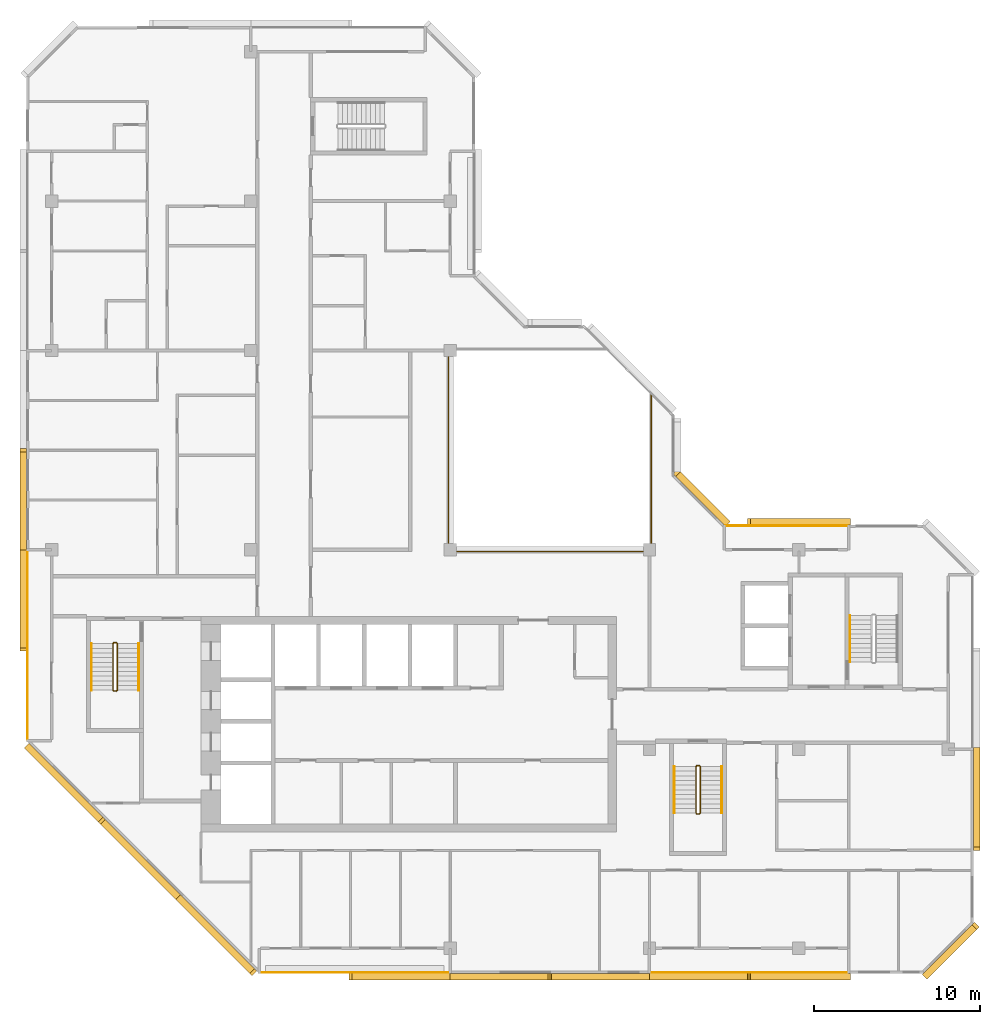
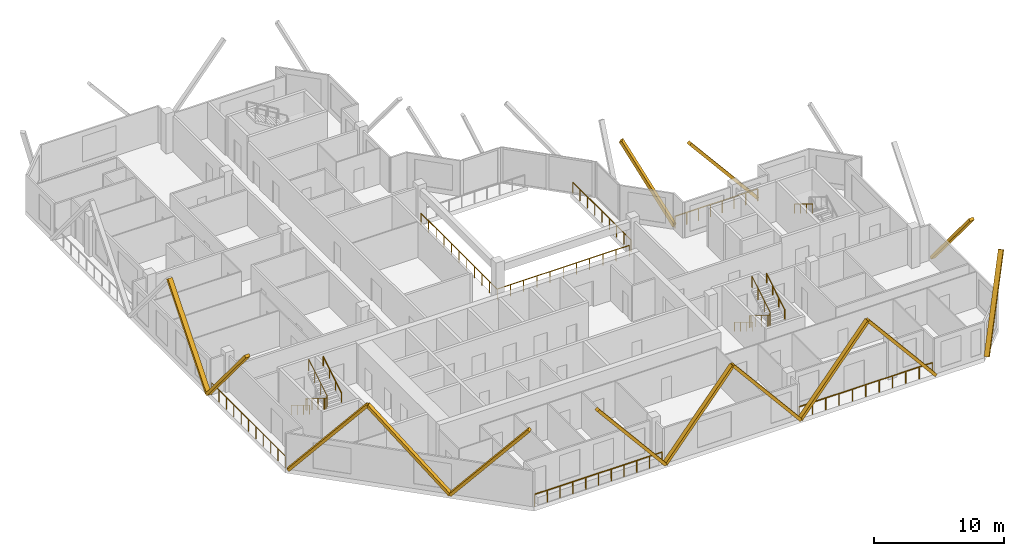
# One storey, part 10 of 11: 14 coverings, 13 railings.
"""IFC4 building model written with IfcOpenShell, lengths in metres."""

from ifc_helpers import new_model, si_unit, direction, frame, origin, origin_2d, place, context, subcontext, project, spatial, rectangle, extrude, material, material_profile, profile_set, type_object, element, save


model = new_model("IFC4")

# Units and contexts
model_context = context("Model", 3, precision=1e-05, world=origin(), true_north=direction((0.0, 1.0)))
body_context = subcontext(model_context, "Body", "Model", "MODEL_VIEW")
ifc_project = project(units=[si_unit("LENGTHUNIT", "METRE"), si_unit("AREAUNIT", "SQUARE_METRE"), si_unit("VOLUMEUNIT", "CUBIC_METRE"), si_unit("PLANEANGLEUNIT", "RADIAN"), si_unit("MASSUNIT", "GRAM", prefix="KILO")], contexts=[model_context])

# Site, building, storey
site_placement = place(None, origin())
site = spatial("IfcSite", under=ifc_project, at=site_placement, CompositionType="ELEMENT")
building_placement = place(site_placement, origin())
building = spatial("IfcBuilding", under=site, at=building_placement, Name="Chenar Terraces", CompositionType="ELEMENT")
storey_placement = place(building_placement, frame((0.0, 0.0, 376.39990234375)))
storey = spatial("IfcBuildingStorey", under=building, at=storey_placement, Name="L88", CompositionType="ELEMENT", Elevation=376.39990234375)

# Railings
ifc_material_1 = material(Name="Powder-coated steel", Category="steel")
railing_type_1 = type_object("IfcRailingType", Name="Guard 1100 steel rail with glass infill", PredefinedType="GUARDRAIL", material=ifc_material_1)
railing_1_placement = place(storey_placement, frame((23.89990234375, 35.625, 0.0)))
element("IfcRailing", 1, at=railing_1_placement, inside=storey, type_object=railing_type_1, Name="Guard L88-1", PredefinedType="GUARDRAIL", context=body_context, shape_type="SweptSolid", body=[
    extrude(rectangle(XDim=0.06005859375, YDim=0.06005859375, at=origin_2d()), frame((0.0, 0.0, 1.070068359375), z_axis=(0.0, -1.0, 0.0), x_axis=(1.0, 0.0, 0.0)), (0.0, 0.0, 1.0), 11.72509765625),
    extrude(rectangle(XDim=0.06005859375, YDim=0.06005859375, at=origin_2d()), frame((0.0, -11.72509765625, 1.070068359375), z_axis=(1.0, 0.0, 0.0), x_axis=(0.0, 1.0, 0.0)), (0.0, 0.0, 1.0), 11.72509765625),
    extrude(rectangle(XDim=0.050048828125, YDim=0.050048828125, at=origin_2d()), origin(), (0.0, 0.0, 1.0), 1.0400390625),
    extrude(rectangle(XDim=0.050048828125, YDim=0.050048828125, at=origin_2d()), frame((0.0, -1.172607421875, 0.0)), (0.0, 0.0, 1.0), 1.0400390625),
    extrude(rectangle(XDim=0.050048828125, YDim=0.050048828125, at=origin_2d()), frame((0.0, -2.344970703125, 0.0)), (0.0, 0.0, 1.0), 1.0400390625),
    extrude(rectangle(XDim=0.050048828125, YDim=0.050048828125, at=origin_2d()), frame((0.0, -3.517578125, 0.0)), (0.0, 0.0, 1.0), 1.0400390625),
    extrude(rectangle(XDim=0.050048828125, YDim=0.050048828125, at=origin_2d()), frame((0.0, -4.68994140625, 0.0)), (0.0, 0.0, 1.0), 1.0400390625),
    extrude(rectangle(XDim=0.050048828125, YDim=0.050048828125, at=origin_2d()), frame((0.0, -5.862548828125, 0.0)), (0.0, 0.0, 1.0), 1.0400390625),
    extrude(rectangle(XDim=0.050048828125, YDim=0.050048828125, at=origin_2d()), frame((0.0, -7.03515625, 0.0)), (0.0, 0.0, 1.0), 1.0400390625),
    extrude(rectangle(XDim=0.050048828125, YDim=0.050048828125, at=origin_2d()), frame((0.0, -8.20751953125, 0.0)), (0.0, 0.0, 1.0), 1.0400390625),
    extrude(rectangle(XDim=0.050048828125, YDim=0.050048828125, at=origin_2d()), frame((0.0, -9.380126953125, 0.0)), (0.0, 0.0, 1.0), 1.0400390625),
    extrude(rectangle(XDim=0.050048828125, YDim=0.050048828125, at=origin_2d()), frame((0.0, -10.552490234375, 0.0)), (0.0, 0.0, 1.0), 1.0400390625),
    extrude(rectangle(XDim=0.050048828125, YDim=0.050048828125, at=origin_2d()), frame((0.0, -11.72509765625, 0.0)), (0.0, 0.0, 1.0), 1.0400390625),
    extrude(rectangle(XDim=0.050048828125, YDim=0.050048828125, at=origin_2d()), frame((1.172607421875, -11.72509765625, 0.0)), (0.0, 0.0, 1.0), 1.0400390625),
    extrude(rectangle(XDim=0.050048828125, YDim=0.050048828125, at=origin_2d()), frame((2.344970703125, -11.72509765625, 0.0)), (0.0, 0.0, 1.0), 1.0400390625),
    extrude(rectangle(XDim=0.050048828125, YDim=0.050048828125, at=origin_2d()), frame((3.517578125, -11.72509765625, 0.0)), (0.0, 0.0, 1.0), 1.0400390625),
    extrude(rectangle(XDim=0.050048828125, YDim=0.050048828125, at=origin_2d()), frame((4.68994140625, -11.72509765625, 0.0)), (0.0, 0.0, 1.0), 1.0400390625),
    extrude(rectangle(XDim=0.050048828125, YDim=0.050048828125, at=origin_2d()), frame((5.862548828125, -11.72509765625, 0.0)), (0.0, 0.0, 1.0), 1.0400390625),
    extrude(rectangle(XDim=0.050048828125, YDim=0.050048828125, at=origin_2d()), frame((7.03515625, -11.72509765625, 0.0)), (0.0, 0.0, 1.0), 1.0400390625),
    extrude(rectangle(XDim=0.050048828125, YDim=0.050048828125, at=origin_2d()), frame((8.20751953125, -11.72509765625, 0.0)), (0.0, 0.0, 1.0), 1.0400390625),
    extrude(rectangle(XDim=0.050048828125, YDim=0.050048828125, at=origin_2d()), frame((9.380126953125, -11.72509765625, 0.0)), (0.0, 0.0, 1.0), 1.0400390625),
    extrude(rectangle(XDim=0.050048828125, YDim=0.050048828125, at=origin_2d()), frame((10.552490234375, -11.72509765625, 0.0)), (0.0, 0.0, 1.0), 1.0400390625),
    extrude(rectangle(XDim=0.050048828125, YDim=0.050048828125, at=origin_2d()), frame((11.72509765625, -11.72509765625, 0.0)), (0.0, 0.0, 1.0), 1.0400390625),
])
railing_2_placement = place(storey_placement, frame((36.10009765625, 24.425048828125, 0.0)))
element("IfcRailing", 2, at=railing_2_placement, inside=storey, type_object=railing_type_1, Name="Guard L88-3", PredefinedType="GUARDRAIL", context=body_context, shape_type="SweptSolid", body=[
    extrude(rectangle(XDim=0.06005859375, YDim=0.06005859375, at=origin_2d()), frame((0.0, 0.0, 1.070068359375), z_axis=(0.0, 1.0, 0.0), x_axis=(-1.0, 0.0, 0.0)), (0.0, 0.0, 1.0), 8.974853515625),
    extrude(rectangle(XDim=0.050048828125, YDim=0.050048828125, at=origin_2d()), origin(), (0.0, 0.0, 1.0), 1.0400390625),
    extrude(rectangle(XDim=0.050048828125, YDim=0.050048828125, at=origin_2d()), frame((0.0, 1.121826171875, 0.0)), (0.0, 0.0, 1.0), 1.0400390625),
    extrude(rectangle(XDim=0.050048828125, YDim=0.050048828125, at=origin_2d()), frame((0.0, 2.24365234375, 0.0)), (0.0, 0.0, 1.0), 1.0400390625),
    extrude(rectangle(XDim=0.050048828125, YDim=0.050048828125, at=origin_2d()), frame((0.0, 3.365478515625, 0.0)), (0.0, 0.0, 1.0), 1.0400390625),
    extrude(rectangle(XDim=0.050048828125, YDim=0.050048828125, at=origin_2d()), frame((0.0, 4.4873046875, 0.0)), (0.0, 0.0, 1.0), 1.0400390625),
    extrude(rectangle(XDim=0.050048828125, YDim=0.050048828125, at=origin_2d()), frame((0.0, 5.609375, 0.0)), (0.0, 0.0, 1.0), 1.0400390625),
    extrude(rectangle(XDim=0.050048828125, YDim=0.050048828125, at=origin_2d()), frame((0.0, 6.731201171875, 0.0)), (0.0, 0.0, 1.0), 1.0400390625),
    extrude(rectangle(XDim=0.050048828125, YDim=0.050048828125, at=origin_2d()), frame((0.0, 7.85302734375, 0.0)), (0.0, 0.0, 1.0), 1.0400390625),
    extrude(rectangle(XDim=0.050048828125, YDim=0.050048828125, at=origin_2d()), frame((0.0, 8.974853515625, 0.0)), (0.0, 0.0, 1.0), 1.0400390625),
])
ifc_material_2 = material(Name="Stainless steel and glass", Category="steel")
railing_type_2 = type_object("IfcRailingType", Name="Loggia guard 1150", PredefinedType="GUARDRAIL", material=ifc_material_2)
railing_3_placement = place(storey_placement, frame((47.925048828125, 25.449951171875, 0.0)))
element("IfcRailing", 3, at=railing_3_placement, inside=storey, type_object=railing_type_2, Name="Loggia guard", PredefinedType="GUARDRAIL", context=body_context, shape_type="SweptSolid", body=[
    extrude(rectangle(XDim=0.048095703125, YDim=0.048095703125, at=origin_2d()), frame((0.0, 0.0, 1.1259765625), z_axis=(-1.0, 0.0, 0.0), x_axis=(0.0, -1.0, 0.0)), (0.0, 0.0, 1.0), 7.35009765625),
    extrude(rectangle(XDim=0.0419921875, YDim=0.0419921875, at=origin_2d()), origin(), (0.0, 0.0, 1.0), 1.101806640625),
    extrude(rectangle(XDim=0.0419921875, YDim=0.0419921875, at=origin_2d()), frame((-1.050048828125, 0.0, 0.0)), (0.0, 0.0, 1.0), 1.101806640625),
    extrude(rectangle(XDim=0.0419921875, YDim=0.0419921875, at=origin_2d()), frame((-2.10009765625, 0.0, 0.0)), (0.0, 0.0, 1.0), 1.101806640625),
    extrude(rectangle(XDim=0.0419921875, YDim=0.0419921875, at=origin_2d()), frame((-3.150146484375, 0.0, 0.0)), (0.0, 0.0, 1.0), 1.101806640625),
    extrude(rectangle(XDim=0.0419921875, YDim=0.0419921875, at=origin_2d()), frame((-4.199951171875, 0.0, 0.0)), (0.0, 0.0, 1.0), 1.101806640625),
    extrude(rectangle(XDim=0.0419921875, YDim=0.0419921875, at=origin_2d()), frame((-5.25, 0.0, 0.0)), (0.0, 0.0, 1.0), 1.101806640625),
    extrude(rectangle(XDim=0.0419921875, YDim=0.0419921875, at=origin_2d()), frame((-6.300048828125, 0.0, 0.0)), (0.0, 0.0, 1.0), 1.101806640625),
    extrude(rectangle(XDim=0.0419921875, YDim=0.0419921875, at=origin_2d()), frame((-7.35009765625, 0.0, 0.0)), (0.0, 0.0, 1.0), 1.101806640625),
])
railing_4_placement = place(storey_placement, frame((12.574951171875, -1.449951171875, 0.0)))
element("IfcRailing", 4, at=railing_4_placement, inside=storey, type_object=railing_type_2, Name="Loggia guard", PredefinedType="GUARDRAIL", context=body_context, shape_type="SweptSolid", body=[
    extrude(rectangle(XDim=0.048095703125, YDim=0.048095703125, at=origin_2d()), frame((0.0, 0.0, 1.1259765625), z_axis=(1.0, 0.0, 0.0), x_axis=(0.0, 1.0, 0.0)), (0.0, 0.0, 1.0), 11.35009765625),
    extrude(rectangle(XDim=0.0419921875, YDim=0.0419921875, at=origin_2d()), origin(), (0.0, 0.0, 1.0), 1.101806640625),
    extrude(rectangle(XDim=0.0419921875, YDim=0.0419921875, at=origin_2d()), frame((1.135009765625, 0.0, 0.0)), (0.0, 0.0, 1.0), 1.101806640625),
    extrude(rectangle(XDim=0.0419921875, YDim=0.0419921875, at=origin_2d()), frame((2.27001953125, 0.0, 0.0)), (0.0, 0.0, 1.0), 1.101806640625),
    extrude(rectangle(XDim=0.0419921875, YDim=0.0419921875, at=origin_2d()), frame((3.405029296875, 0.0, 0.0)), (0.0, 0.0, 1.0), 1.101806640625),
    extrude(rectangle(XDim=0.0419921875, YDim=0.0419921875, at=origin_2d()), frame((4.5400390625, 0.0, 0.0)), (0.0, 0.0, 1.0), 1.101806640625),
    extrude(rectangle(XDim=0.0419921875, YDim=0.0419921875, at=origin_2d()), frame((5.675048828125, 0.0, 0.0)), (0.0, 0.0, 1.0), 1.101806640625),
    extrude(rectangle(XDim=0.0419921875, YDim=0.0419921875, at=origin_2d()), frame((6.81005859375, 0.0, 0.0)), (0.0, 0.0, 1.0), 1.101806640625),
    extrude(rectangle(XDim=0.0419921875, YDim=0.0419921875, at=origin_2d()), frame((7.945068359375, 0.0, 0.0)), (0.0, 0.0, 1.0), 1.101806640625),
    extrude(rectangle(XDim=0.0419921875, YDim=0.0419921875, at=origin_2d()), frame((9.080078125, 0.0, 0.0)), (0.0, 0.0, 1.0), 1.101806640625),
    extrude(rectangle(XDim=0.0419921875, YDim=0.0419921875, at=origin_2d()), frame((10.215087890625, 0.0, 0.0)), (0.0, 0.0, 1.0), 1.101806640625),
    extrude(rectangle(XDim=0.0419921875, YDim=0.0419921875, at=origin_2d()), frame((11.35009765625, 0.0, 0.0)), (0.0, 0.0, 1.0), 1.101806640625),
])
railing_5_placement = place(storey_placement, frame((36.074951171875, -1.449951171875, 0.0)))
element("IfcRailing", 5, at=railing_5_placement, inside=storey, type_object=railing_type_2, Name="Loggia guard", PredefinedType="GUARDRAIL", context=body_context, shape_type="SweptSolid", body=[
    extrude(rectangle(XDim=0.048095703125, YDim=0.048095703125, at=origin_2d()), frame((0.0, 0.0, 1.1259765625), z_axis=(1.0, 0.0, 0.0), x_axis=(0.0, 1.0, 0.0)), (0.0, 0.0, 1.0), 11.85009765625),
    extrude(rectangle(XDim=0.0419921875, YDim=0.0419921875, at=origin_2d()), origin(), (0.0, 0.0, 1.0), 1.101806640625),
    extrude(rectangle(XDim=0.0419921875, YDim=0.0419921875, at=origin_2d()), frame((1.18505859375, 0.0, 0.0)), (0.0, 0.0, 1.0), 1.101806640625),
    extrude(rectangle(XDim=0.0419921875, YDim=0.0419921875, at=origin_2d()), frame((2.3701171875, 0.0, 0.0)), (0.0, 0.0, 1.0), 1.101806640625),
    extrude(rectangle(XDim=0.0419921875, YDim=0.0419921875, at=origin_2d()), frame((3.554931640625, 0.0, 0.0)), (0.0, 0.0, 1.0), 1.101806640625),
    extrude(rectangle(XDim=0.0419921875, YDim=0.0419921875, at=origin_2d()), frame((4.739990234375, 0.0, 0.0)), (0.0, 0.0, 1.0), 1.101806640625),
    extrude(rectangle(XDim=0.0419921875, YDim=0.0419921875, at=origin_2d()), frame((5.925048828125, 0.0, 0.0)), (0.0, 0.0, 1.0), 1.101806640625),
    extrude(rectangle(XDim=0.0419921875, YDim=0.0419921875, at=origin_2d()), frame((7.110107421875, 0.0, 0.0)), (0.0, 0.0, 1.0), 1.101806640625),
    extrude(rectangle(XDim=0.0419921875, YDim=0.0419921875, at=origin_2d()), frame((8.295166015625, 0.0, 0.0)), (0.0, 0.0, 1.0), 1.101806640625),
    extrude(rectangle(XDim=0.0419921875, YDim=0.0419921875, at=origin_2d()), frame((9.47998046875, 0.0, 0.0)), (0.0, 0.0, 1.0), 1.101806640625),
    extrude(rectangle(XDim=0.0419921875, YDim=0.0419921875, at=origin_2d()), frame((10.6650390625, 0.0, 0.0)), (0.0, 0.0, 1.0), 1.101806640625),
    extrude(rectangle(XDim=0.0419921875, YDim=0.0419921875, at=origin_2d()), frame((11.85009765625, 0.0, 0.0)), (0.0, 0.0, 1.0), 1.101806640625),
])
railing_6_placement = place(storey_placement, frame((-1.449951171875, 23.925048828125, 0.0)))
element("IfcRailing", 6, at=railing_6_placement, inside=storey, type_object=railing_type_2, Name="Loggia guard", PredefinedType="GUARDRAIL", context=body_context, shape_type="SweptSolid", body=[
    extrude(rectangle(XDim=0.048095703125, YDim=0.048095703125, at=origin_2d()), frame((0.0, 0.0, 1.1259765625), z_axis=(0.0, -1.0, 0.0), x_axis=(1.0, 0.0, 0.0)), (0.0, 0.0, 1.0), 11.35009765625),
    extrude(rectangle(XDim=0.0419921875, YDim=0.0419921875, at=origin_2d()), origin(), (0.0, 0.0, 1.0), 1.101806640625),
    extrude(rectangle(XDim=0.0419921875, YDim=0.0419921875, at=origin_2d()), frame((0.0, -1.135009765625, 0.0)), (0.0, 0.0, 1.0), 1.101806640625),
    extrude(rectangle(XDim=0.0419921875, YDim=0.0419921875, at=origin_2d()), frame((0.0, -2.27001953125, 0.0)), (0.0, 0.0, 1.0), 1.101806640625),
    extrude(rectangle(XDim=0.0419921875, YDim=0.0419921875, at=origin_2d()), frame((0.0, -3.405029296875, 0.0)), (0.0, 0.0, 1.0), 1.101806640625),
    extrude(rectangle(XDim=0.0419921875, YDim=0.0419921875, at=origin_2d()), frame((0.0, -4.5400390625, 0.0)), (0.0, 0.0, 1.0), 1.101806640625),
    extrude(rectangle(XDim=0.0419921875, YDim=0.0419921875, at=origin_2d()), frame((0.0, -5.675048828125, 0.0)), (0.0, 0.0, 1.0), 1.101806640625),
    extrude(rectangle(XDim=0.0419921875, YDim=0.0419921875, at=origin_2d()), frame((0.0, -6.81005859375, 0.0)), (0.0, 0.0, 1.0), 1.101806640625),
    extrude(rectangle(XDim=0.0419921875, YDim=0.0419921875, at=origin_2d()), frame((0.0, -7.945068359375, 0.0)), (0.0, 0.0, 1.0), 1.101806640625),
    extrude(rectangle(XDim=0.0419921875, YDim=0.0419921875, at=origin_2d()), frame((0.0, -9.080078125, 0.0)), (0.0, 0.0, 1.0), 1.101806640625),
    extrude(rectangle(XDim=0.0419921875, YDim=0.0419921875, at=origin_2d()), frame((0.0, -10.215087890625, 0.0)), (0.0, 0.0, 1.0), 1.101806640625),
    extrude(rectangle(XDim=0.0419921875, YDim=0.0419921875, at=origin_2d()), frame((0.0, -11.35009765625, 0.0)), (0.0, 0.0, 1.0), 1.101806640625),
])
ifc_material_3 = material(Name="Powder-coated steel", Category="steel")
railing_type_3 = type_object("IfcRailingType", Name="Stair guard 1100", PredefinedType="GUARDRAIL", material=ifc_material_3)
railing_7_placement = place(storey_placement, frame((3.949951171875, 18.35009765625, 3.75)))
element("IfcRailing", 7, at=railing_7_placement, inside=storey, type_object=railing_type_3, Name="L88 ST1 stair guard 1", PredefinedType="GUARDRAIL", context=body_context, shape_type="SweptSolid", body=[
    extrude(rectangle(XDim=0.048095703125, YDim=0.048095703125, at=origin_2d()), frame((0.0, 0.0, 1.076171875), z_axis=(0.0, -0.854202870247, -0.519939858505), x_axis=(1.0, 0.0, 0.0)), (0.0, 0.0, 1.0), 3.278076171875),
    extrude(rectangle(XDim=0.048095703125, YDim=0.048095703125, at=origin_2d()), frame((0.0, -2.800048828125, -0.62841796875), z_axis=(-0.270899902878, -0.270899902878, -0.923702595667), x_axis=(0.707106781187, -0.707106781187, 0.0)), (0.0, 0.0, 1.0), 0.184814453125),
    extrude(rectangle(XDim=0.048095703125, YDim=0.048095703125, at=origin_2d()), frame((-0.050048828125, -2.85009765625, -0.798828125), z_axis=(-1.0, 0.0, 0.0), x_axis=(0.0, -1.0, 0.0)), (0.0, 0.0, 1.0), 0.14990234375),
    extrude(rectangle(XDim=0.048095703125, YDim=0.048095703125, at=origin_2d()), frame((-0.199951171875, -2.85009765625, -0.798828125), z_axis=(-0.707106781187, 0.707106781187, 0.0), x_axis=(-0.707106781187, -0.707106781187, 0.0)), (0.0, 0.0, 1.0), 0.07080078125),
    extrude(rectangle(XDim=0.048095703125, YDim=0.048095703125, at=origin_2d()), frame((-0.25, -2.800048828125, -0.798828125), z_axis=(0.0, 0.854202870247, -0.519939858505), x_axis=(-1.0, 0.0, 0.0)), (0.0, 0.0, 1.0), 3.278076171875),
    extrude(rectangle(XDim=0.048095703125, YDim=0.048095703125, at=origin_2d()), frame((-0.25, 0.0, -2.50341796875), z_axis=(0.270996696079, 0.269674760976, -0.924032636873), x_axis=(-0.705375805398, 0.708833529934, 0.0)), (0.0, 0.0, 1.0), 0.1845703125),
    extrude(rectangle(XDim=0.048095703125, YDim=0.048095703125, at=origin_2d()), frame((-0.199951171875, 0.0498046875, -2.673828125), z_axis=(1.0, 0.0, 0.0), x_axis=(0.0, 1.0, 0.0)), (0.0, 0.0, 1.0), 0.14990234375),
    extrude(rectangle(XDim=0.0419921875, YDim=0.0419921875, at=origin_2d()), origin(), (0.0, 0.0, 1.0), 1.052001953125),
    extrude(rectangle(XDim=0.0419921875, YDim=0.0419921875, at=origin_2d()), frame((0.0, -0.933349609375, -0.568115234375)), (0.0, 0.0, 1.0), 1.052001953125),
    extrude(rectangle(XDim=0.0419921875, YDim=0.0419921875, at=origin_2d()), frame((0.0, -1.86669921875, -1.13623046875)), (0.0, 0.0, 1.0), 1.052001953125),
    extrude(rectangle(XDim=0.0419921875, YDim=0.0419921875, at=origin_2d()), frame((0.0, -2.800048828125, -1.704345703125)), (0.0, 0.0, 1.0), 1.052001953125),
    extrude(rectangle(XDim=0.0419921875, YDim=0.0419921875, at=origin_2d()), frame((-0.050048828125, -2.85009765625, -1.875)), (0.0, 0.0, 1.0), 1.052001953125),
    extrude(rectangle(XDim=0.0419921875, YDim=0.0419921875, at=origin_2d()), frame((-0.199951171875, -2.85009765625, -1.875)), (0.0, 0.0, 1.0), 1.052001953125),
    extrude(rectangle(XDim=0.0419921875, YDim=0.0419921875, at=origin_2d()), frame((-0.25, -2.800048828125, -1.875)), (0.0, 0.0, 1.0), 1.052001953125),
    extrude(rectangle(XDim=0.0419921875, YDim=0.0419921875, at=origin_2d()), frame((-0.25, -1.86669921875, -2.443115234375)), (0.0, 0.0, 1.0), 1.052001953125),
    extrude(rectangle(XDim=0.0419921875, YDim=0.0419921875, at=origin_2d()), frame((-0.25, -0.933349609375, -3.01123046875)), (0.0, 0.0, 1.0), 1.052001953125),
    extrude(rectangle(XDim=0.0419921875, YDim=0.0419921875, at=origin_2d()), frame((-0.25, 0.0, -3.579345703125)), (0.0, 0.0, 1.0), 1.052001953125),
    extrude(rectangle(XDim=0.0419921875, YDim=0.0419921875, at=origin_2d()), frame((-0.199951171875, 0.0498046875, -3.75)), (0.0, 0.0, 1.0), 1.052001953125),
    extrude(rectangle(XDim=0.0419921875, YDim=0.0419921875, at=origin_2d()), frame((-0.050048828125, 0.0498046875, -3.75)), (0.0, 0.0, 1.0), 1.052001953125),
])
railing_8_placement = place(storey_placement, frame((39.050048828125, 10.949951171875, 3.75)))
element("IfcRailing", 8, at=railing_8_placement, inside=storey, type_object=railing_type_3, Name="L88 ST2 stair guard 1", PredefinedType="GUARDRAIL", context=body_context, shape_type="SweptSolid", body=[
    extrude(rectangle(XDim=0.048095703125, YDim=0.048095703125, at=origin_2d()), frame((0.0, 0.0, 1.076171875), z_axis=(0.0, -0.854202870247, -0.519939858505), x_axis=(1.0, 0.0, 0.0)), (0.0, 0.0, 1.0), 3.278076171875),
    extrude(rectangle(XDim=0.048095703125, YDim=0.048095703125, at=origin_2d()), frame((0.0, -2.800048828125, -0.62841796875), z_axis=(-0.270996696079, -0.269674760976, -0.924032636873), x_axis=(0.705375805398, -0.708833529934, 0.0)), (0.0, 0.0, 1.0), 0.1845703125),
    extrude(rectangle(XDim=0.048095703125, YDim=0.048095703125, at=origin_2d()), frame((-0.050048828125, -2.849853515625, -0.798828125), z_axis=(-1.0, 0.0, 0.0), x_axis=(0.0, -1.0, 0.0)), (0.0, 0.0, 1.0), 0.14990234375),
    extrude(rectangle(XDim=0.048095703125, YDim=0.048095703125, at=origin_2d()), frame((-0.199951171875, -2.849853515625, -0.798828125), z_axis=(-0.708833529934, 0.705375805398, 0.0), x_axis=(-0.705375805398, -0.708833529934, 0.0)), (0.0, 0.0, 1.0), 0.070556640625),
    extrude(rectangle(XDim=0.048095703125, YDim=0.048095703125, at=origin_2d()), frame((-0.25, -2.800048828125, -0.798828125), z_axis=(0.0, 0.854202870247, -0.519939858505), x_axis=(-1.0, 0.0, 0.0)), (0.0, 0.0, 1.0), 3.278076171875),
    extrude(rectangle(XDim=0.048095703125, YDim=0.048095703125, at=origin_2d()), frame((-0.25, 0.0, -2.50341796875), z_axis=(0.270899902878, 0.270899902878, -0.923702595667), x_axis=(-0.707106781187, 0.707106781187, 0.0)), (0.0, 0.0, 1.0), 0.184814453125),
    extrude(rectangle(XDim=0.048095703125, YDim=0.048095703125, at=origin_2d()), frame((-0.199951171875, 0.050048828125, -2.673828125), z_axis=(1.0, 0.0, 0.0), x_axis=(0.0, 1.0, 0.0)), (0.0, 0.0, 1.0), 0.14990234375),
    extrude(rectangle(XDim=0.0419921875, YDim=0.0419921875, at=origin_2d()), origin(), (0.0, 0.0, 1.0), 1.052001953125),
    extrude(rectangle(XDim=0.0419921875, YDim=0.0419921875, at=origin_2d()), frame((0.0, -0.933349609375, -0.568115234375)), (0.0, 0.0, 1.0), 1.052001953125),
    extrude(rectangle(XDim=0.0419921875, YDim=0.0419921875, at=origin_2d()), frame((0.0, -1.86669921875, -1.13623046875)), (0.0, 0.0, 1.0), 1.052001953125),
    extrude(rectangle(XDim=0.0419921875, YDim=0.0419921875, at=origin_2d()), frame((0.0, -2.800048828125, -1.704345703125)), (0.0, 0.0, 1.0), 1.052001953125),
    extrude(rectangle(XDim=0.0419921875, YDim=0.0419921875, at=origin_2d()), frame((-0.050048828125, -2.849853515625, -1.875)), (0.0, 0.0, 1.0), 1.052001953125),
    extrude(rectangle(XDim=0.0419921875, YDim=0.0419921875, at=origin_2d()), frame((-0.199951171875, -2.849853515625, -1.875)), (0.0, 0.0, 1.0), 1.052001953125),
    extrude(rectangle(XDim=0.0419921875, YDim=0.0419921875, at=origin_2d()), frame((-0.25, -2.800048828125, -1.875)), (0.0, 0.0, 1.0), 1.052001953125),
    extrude(rectangle(XDim=0.0419921875, YDim=0.0419921875, at=origin_2d()), frame((-0.25, -1.86669921875, -2.443115234375)), (0.0, 0.0, 1.0), 1.052001953125),
    extrude(rectangle(XDim=0.0419921875, YDim=0.0419921875, at=origin_2d()), frame((-0.25, -0.933349609375, -3.01123046875)), (0.0, 0.0, 1.0), 1.052001953125),
    extrude(rectangle(XDim=0.0419921875, YDim=0.0419921875, at=origin_2d()), frame((-0.25, 0.0, -3.579345703125)), (0.0, 0.0, 1.0), 1.052001953125),
    extrude(rectangle(XDim=0.0419921875, YDim=0.0419921875, at=origin_2d()), frame((-0.199951171875, 0.050048828125, -3.75)), (0.0, 0.0, 1.0), 1.052001953125),
    extrude(rectangle(XDim=0.0419921875, YDim=0.0419921875, at=origin_2d()), frame((-0.050048828125, 0.050048828125, -3.75)), (0.0, 0.0, 1.0), 1.052001953125),
])
ifc_material_4 = material(Name="Powder-coated steel", Category="steel")
railing_type_4 = type_object("IfcRailingType", Name="Stair handrail 900", PredefinedType="HANDRAIL", material=ifc_material_4)
railing_9_placement = place(storey_placement, frame((2.39990234375, 18.35009765625, 0.170654296875)))
element("IfcRailing", 9, at=railing_9_placement, inside=storey, type_object=railing_type_4, Name="L88 ST1 stair handrail 1", PredefinedType="HANDRAIL", context=body_context, shape_type="SweptSolid", body=[
    extrude(rectangle(XDim=0.048095703125, YDim=0.048095703125, at=origin_2d()), frame((0.0, 0.0, 0.8759765625), z_axis=(0.0, -0.854202870247, 0.519939858505), x_axis=(1.0, 0.0, 0.0)), (0.0, 0.0, 1.0), 3.278076171875),
    extrude(rectangle(XDim=0.0419921875, YDim=0.0419921875, at=origin_2d()), origin(), (0.0, 0.0, 1.0), 0.851806640625),
    extrude(rectangle(XDim=0.0419921875, YDim=0.0419921875, at=origin_2d()), frame((0.0, -0.933349609375, 0.568115234375)), (0.0, 0.0, 1.0), 0.851806640625),
    extrude(rectangle(XDim=0.0419921875, YDim=0.0419921875, at=origin_2d()), frame((0.0, -1.86669921875, 1.13623046875)), (0.0, 0.0, 1.0), 0.851806640625),
    extrude(rectangle(XDim=0.0419921875, YDim=0.0419921875, at=origin_2d()), frame((0.0, -2.800048828125, 1.704345703125)), (0.0, 0.0, 1.0), 0.851806640625),
])
railing_10_placement = place(storey_placement, frame((5.25, 15.550048828125, 2.045654296875)))
element("IfcRailing", 10, at=railing_10_placement, inside=storey, type_object=railing_type_4, Name="L88 ST1 stair handrail 2", PredefinedType="HANDRAIL", context=body_context, shape_type="SweptSolid", body=[
    extrude(rectangle(XDim=0.048095703125, YDim=0.048095703125, at=origin_2d()), frame((0.0, 0.0, 0.8759765625), z_axis=(0.0, 0.854202870247, 0.519939858505), x_axis=(-1.0, 0.0, 0.0)), (0.0, 0.0, 1.0), 3.278076171875),
    extrude(rectangle(XDim=0.0419921875, YDim=0.0419921875, at=origin_2d()), origin(), (0.0, 0.0, 1.0), 0.851806640625),
    extrude(rectangle(XDim=0.0419921875, YDim=0.0419921875, at=origin_2d()), frame((0.0, 0.933349609375, 0.568115234375)), (0.0, 0.0, 1.0), 0.851806640625),
    extrude(rectangle(XDim=0.0419921875, YDim=0.0419921875, at=origin_2d()), frame((0.0, 1.86669921875, 1.13623046875)), (0.0, 0.0, 1.0), 0.851806640625),
    extrude(rectangle(XDim=0.0419921875, YDim=0.0419921875, at=origin_2d()), frame((0.0, 2.800048828125, 1.704345703125)), (0.0, 0.0, 1.0), 0.851806640625),
])
railing_11_placement = place(storey_placement, frame((37.5, 10.949951171875, 0.170654296875)))
element("IfcRailing", 11, at=railing_11_placement, inside=storey, type_object=railing_type_4, Name="L88 ST2 stair handrail 1", PredefinedType="HANDRAIL", context=body_context, shape_type="SweptSolid", body=[
    extrude(rectangle(XDim=0.048095703125, YDim=0.048095703125, at=origin_2d()), frame((0.0, 0.0, 0.8759765625), z_axis=(0.0, -0.854202870247, 0.519939858505), x_axis=(1.0, 0.0, 0.0)), (0.0, 0.0, 1.0), 3.278076171875),
    extrude(rectangle(XDim=0.0419921875, YDim=0.0419921875, at=origin_2d()), origin(), (0.0, 0.0, 1.0), 0.851806640625),
    extrude(rectangle(XDim=0.0419921875, YDim=0.0419921875, at=origin_2d()), frame((0.0, -0.933349609375, 0.568115234375)), (0.0, 0.0, 1.0), 0.851806640625),
    extrude(rectangle(XDim=0.0419921875, YDim=0.0419921875, at=origin_2d()), frame((0.0, -1.86669921875, 1.13623046875)), (0.0, 0.0, 1.0), 0.851806640625),
    extrude(rectangle(XDim=0.0419921875, YDim=0.0419921875, at=origin_2d()), frame((0.0, -2.800048828125, 1.704345703125)), (0.0, 0.0, 1.0), 0.851806640625),
])
railing_12_placement = place(storey_placement, frame((40.35009765625, 8.14990234375, 2.045654296875)))
element("IfcRailing", 12, at=railing_12_placement, inside=storey, type_object=railing_type_4, Name="L88 ST2 stair handrail 2", PredefinedType="HANDRAIL", context=body_context, shape_type="SweptSolid", body=[
    extrude(rectangle(XDim=0.048095703125, YDim=0.048095703125, at=origin_2d()), frame((0.0, 0.0, 0.8759765625), z_axis=(0.0, 0.854202870247, 0.519939858505), x_axis=(-1.0, 0.0, 0.0)), (0.0, 0.0, 1.0), 3.278076171875),
    extrude(rectangle(XDim=0.0419921875, YDim=0.0419921875, at=origin_2d()), origin(), (0.0, 0.0, 1.0), 0.851806640625),
    extrude(rectangle(XDim=0.0419921875, YDim=0.0419921875, at=origin_2d()), frame((0.0, 0.933349609375, 0.568115234375)), (0.0, 0.0, 1.0), 0.851806640625),
    extrude(rectangle(XDim=0.0419921875, YDim=0.0419921875, at=origin_2d()), frame((0.0, 1.86669921875, 1.13623046875)), (0.0, 0.0, 1.0), 0.851806640625),
    extrude(rectangle(XDim=0.0419921875, YDim=0.0419921875, at=origin_2d()), frame((0.0, 2.800048828125, 1.704345703125)), (0.0, 0.0, 1.0), 0.851806640625),
])
railing_13_placement = place(storey_placement, frame((48.074951171875, 20.050048828125, 2.045654296875)))
element("IfcRailing", 13, at=railing_13_placement, inside=storey, type_object=railing_type_4, Name="L88 ST3 stair handrail 2", PredefinedType="HANDRAIL", context=body_context, shape_type="SweptSolid", body=[
    extrude(rectangle(XDim=0.048095703125, YDim=0.048095703125, at=origin_2d()), frame((0.0, 0.0, 0.8759765625), z_axis=(0.0, -0.854202870247, 0.519939858505), x_axis=(1.0, 0.0, 0.0)), (0.0, 0.0, 1.0), 3.278076171875),
    extrude(rectangle(XDim=0.0419921875, YDim=0.0419921875, at=origin_2d()), origin(), (0.0, 0.0, 1.0), 0.851806640625),
    extrude(rectangle(XDim=0.0419921875, YDim=0.0419921875, at=origin_2d()), frame((0.0, -0.933349609375, 0.568115234375)), (0.0, 0.0, 1.0), 0.851806640625),
    extrude(rectangle(XDim=0.0419921875, YDim=0.0419921875, at=origin_2d()), frame((0.0, -1.86669921875, 1.13623046875)), (0.0, 0.0, 1.0), 0.851806640625),
    extrude(rectangle(XDim=0.0419921875, YDim=0.0419921875, at=origin_2d()), frame((0.0, -2.800048828125, 1.704345703125)), (0.0, 0.0, 1.0), 0.851806640625),
])

# Coverings
ifc_material_5 = material(Name="Terracotta", Category="masonry")
ifc_material_profile = material_profile(ifc_material_5, rectangle(XDim=0.39990234375, YDim=0.25, at=origin_2d()), Name="Terracotta baguette 400 x 250")
ifc_profile_set = profile_set([ifc_material_profile], Name="Terracotta")
covering_type = type_object("IfcCoveringType", Name="Terracotta baguette 400 x 250", PredefinedType="CLADDING", material=ifc_profile_set)
covering_1_placement = place(storey_placement, frame((48.0, 25.699951171875, 0.150146484375), z_axis=(-0.640186961885, 0.0, 0.768219144407), x_axis=(0.0, -1.0, 0.0)))
element("IfcCovering", 14, at=covering_1_placement, inside=storey, type_object=covering_type, Name="Terracotta baguette", PredefinedType="CLADDING", context=body_context, shape_type="SweptSolid", body=[
    extrude(rectangle(XDim=0.39990234375, YDim=0.25, at=origin_2d()), origin(), (0.0, 0.0, 1.0), 9.372314453125),
])
covering_2_placement = place(storey_placement, frame((40.641357421875, 25.641357421875, 0.150146484375), z_axis=(-0.358980886355, 0.358980886355, 0.861548284464), x_axis=(-0.707106781187, -0.707106781187, 0.0)))
element("IfcCovering", 15, at=covering_2_placement, inside=storey, type_object=covering_type, Name="Terracotta baguette", PredefinedType="CLADDING", context=body_context, shape_type="SweptSolid", body=[
    extrude(rectangle(XDim=0.39990234375, YDim=0.25, at=origin_2d()), origin(), (0.0, 0.0, 1.0), 8.35693359375),
])
for number, where, z_axis, x_axis, name in (
    (16, (-1.699951171875, 30.0, 7.35009765625), (0.0, -0.640186961885, -0.768219144407), (1.0, 0.0, 0.0), "Terracotta baguette"),
    (17, (-1.699951171875, 24.0, 0.150146484375), (0.0, -0.640186961885, 0.768219144407), (1.0, 0.0, 0.0), "Terracotta baguette"),
):
    element("IfcCovering", number, at=place(storey_placement, frame(where, z_axis=z_axis, x_axis=x_axis)), inside=storey, type_object=covering_type, Name=name, PredefinedType="CLADDING", context=body_context, shape_type="SweptSolid", body=[
        extrude(rectangle(XDim=0.39990234375, YDim=0.25, at=origin_2d()), origin(), (0.0, 0.0, 1.0), 9.372314453125),
    ])
covering_3_placement = place(storey_placement, frame((-1.42919921875, 12.146484375, 0.150146484375), z_axis=(0.465604048687, -0.46562956823, 0.752596821038), x_axis=(0.707126158488, 0.707087403354, 0.0)))
element("IfcCovering", 18, at=covering_3_placement, inside=storey, type_object=covering_type, Name="Terracotta baguette", PredefinedType="CLADDING", context=body_context, shape_type="SweptSolid", body=[
    extrude(rectangle(XDim=0.39990234375, YDim=0.25, at=origin_2d()), origin(), (0.0, 0.0, 1.0), 9.56689453125),
])
covering_4_placement = place(storey_placement, frame((3.025146484375, 7.69189453125, 7.35009765625), z_axis=(0.477802509271, -0.477802509271, -0.73716315987), x_axis=(0.707106781187, 0.707106781187, 0.0)))
element("IfcCovering", 19, at=covering_4_placement, inside=storey, type_object=covering_type, Name="Terracotta baguette", PredefinedType="CLADDING", context=body_context, shape_type="SweptSolid", body=[
    extrude(rectangle(XDim=0.39990234375, YDim=0.25, at=origin_2d()), origin(), (0.0, 0.0, 1.0), 9.76708984375),
])
covering_5_placement = place(storey_placement, frame((7.69189453125, 3.025146484375, 0.150146484375), z_axis=(0.46562956823, -0.465604048687, 0.752596821038), x_axis=(0.707087403354, 0.707126158488, 0.0)))
element("IfcCovering", 20, at=covering_5_placement, inside=storey, type_object=covering_type, Name="Terracotta baguette", PredefinedType="CLADDING", context=body_context, shape_type="SweptSolid", body=[
    extrude(rectangle(XDim=0.39990234375, YDim=0.25, at=origin_2d()), origin(), (0.0, 0.0, 1.0), 9.56689453125),
])
for number, where, z_axis, x_axis, name in (
    (21, (18.0, -1.699951171875, 7.35009765625), (0.640186961885, 0.0, -0.768219144407), (0.0, 1.0, 0.0), "Terracotta baguette"),
    (22, (24.0, -1.699951171875, 0.150146484375), (0.640186961885, 0.0, 0.768219144407), (0.0, 1.0, 0.0), "Terracotta baguette"),
    (23, (30.0, -1.699951171875, 7.35009765625), (0.640186961885, 0.0, -0.768219144407), (0.0, 1.0, 0.0), "Terracotta baguette"),
    (24, (36.0, -1.699951171875, 0.150146484375), (0.640186961885, 0.0, 0.768219144407), (0.0, 1.0, 0.0), "Terracotta baguette"),
    (25, (42.0, -1.699951171875, 7.35009765625), (0.640186961885, 0.0, -0.768219144407), (0.0, 1.0, 0.0), "Terracotta baguette"),
):
    element("IfcCovering", number, at=place(storey_placement, frame(where, z_axis=z_axis, x_axis=x_axis)), inside=storey, type_object=covering_type, Name=name, PredefinedType="CLADDING", context=body_context, shape_type="SweptSolid", body=[
        extrude(rectangle(XDim=0.39990234375, YDim=0.25, at=origin_2d()), origin(), (0.0, 0.0, 1.0), 9.372314453125),
    ])
covering_6_placement = place(storey_placement, frame((52.641357421875, -1.641357421875, 0.150146484375), z_axis=(0.358980886355, 0.358980886355, 0.861548284464), x_axis=(-0.707106781187, 0.707106781187, 0.0)))
element("IfcCovering", 26, at=covering_6_placement, inside=storey, type_object=covering_type, Name="Terracotta baguette", PredefinedType="CLADDING", context=body_context, shape_type="SweptSolid", body=[
    extrude(rectangle(XDim=0.39990234375, YDim=0.25, at=origin_2d()), origin(), (0.0, 0.0, 1.0), 8.35693359375),
])
covering_7_placement = place(storey_placement, frame((55.699951171875, 6.0, 7.35009765625), z_axis=(0.0, 0.640186961885, -0.768219144407), x_axis=(-1.0, 0.0, 0.0)))
element("IfcCovering", 27, at=covering_7_placement, inside=storey, type_object=covering_type, Name="Terracotta baguette", PredefinedType="CLADDING", context=body_context, shape_type="SweptSolid", body=[
    extrude(rectangle(XDim=0.39990234375, YDim=0.25, at=origin_2d()), origin(), (0.0, 0.0, 1.0), 9.372314453125),
])

save(model, "model.ifc")
